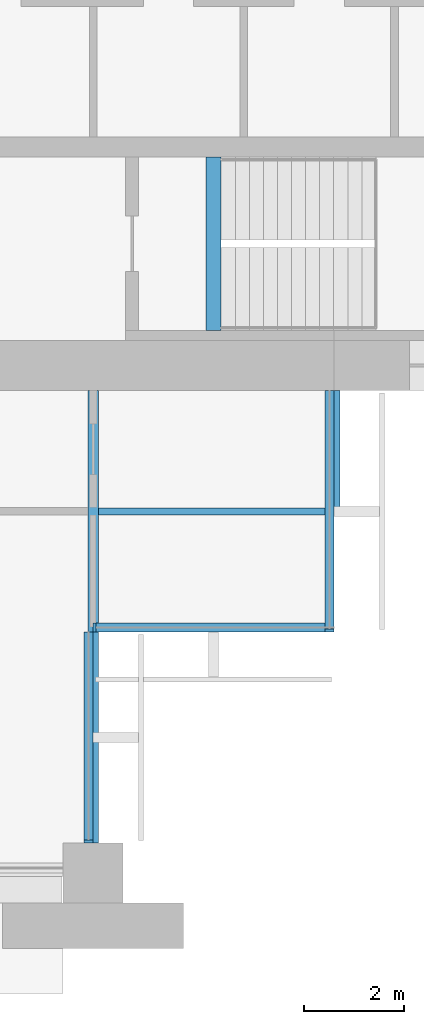
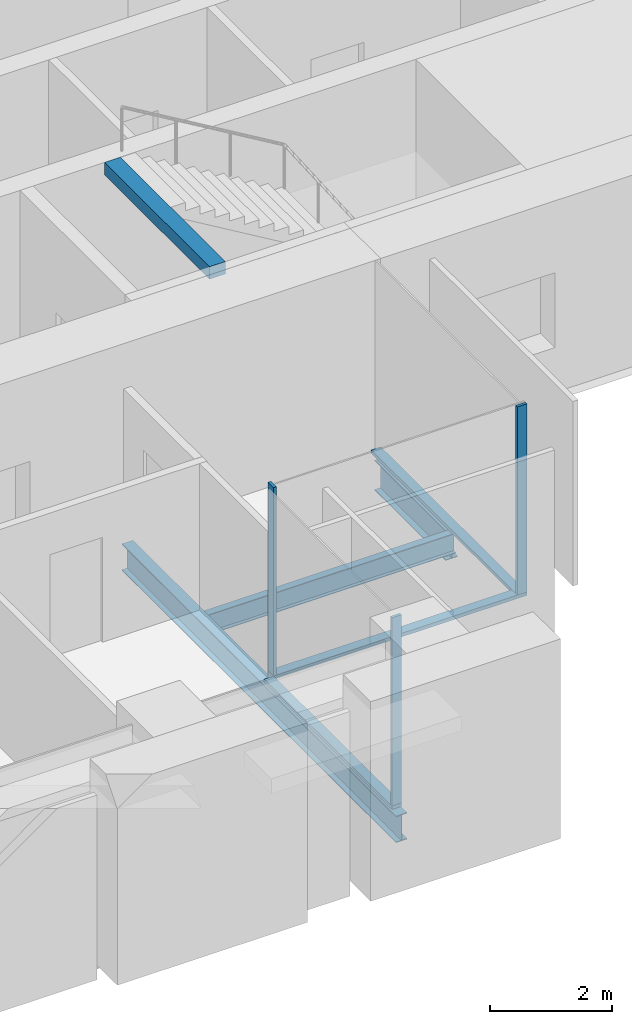
# One storey, part 4 of 15: 6 members, 4 beams, 3 elements without a shape of their own.
"""IFC4 building model written with IfcOpenShell, lengths in metres."""

from ifc_helpers import new_model, si_unit, direction, frame, origin, origin_2d, place, context, subcontext, project, spatial, rectangle, i_section, extrude, material, material_profile, profile_set, type_object, element, aggregate, save


model = new_model("IFC4")

# Units and contexts
model_context = context("Model", 3, precision=1e-05, world=origin(), true_north=direction((0.0, 1.0)))
body_context = subcontext(model_context, "Body", "Model", "MODEL_VIEW")
ifc_project = project(units=[si_unit("LENGTHUNIT", "METRE"), si_unit("AREAUNIT", "SQUARE_METRE"), si_unit("VOLUMEUNIT", "CUBIC_METRE"), si_unit("PLANEANGLEUNIT", "RADIAN"), si_unit("MASSUNIT", "GRAM", prefix="KILO")], contexts=[model_context])

# Site, building, storey
site_placement = place(None, origin())
site = spatial("IfcSite", under=ifc_project, at=site_placement, CompositionType="ELEMENT")
building_placement = place(site_placement, origin())
building = spatial("IfcBuilding", under=site, at=building_placement, Name="Baori Bourse Tower", CompositionType="ELEMENT")
storey_placement = place(building_placement, frame((0.0, 0.0, 128.10009765625)))
storey = spatial("IfcBuildingStorey", under=building, at=storey_placement, Name="L27", CompositionType="ELEMENT", Elevation=128.10009765625)

# Curtain wall, member
ifc_material_1 = material(Name="Pale anodised aluminium", Category="aluminium")
curtain_wall_type = type_object("IfcCurtainWallType", Name="CW2 Curtain wall", PredefinedType="NOTDEFINED", material=ifc_material_1)
curtain_wall_1_placement = place(storey_placement, origin())
curtain_wall_1 = element("IfcCurtainWall", 1, at=curtain_wall_1_placement, inside=storey, type_object=curtain_wall_type, Name="Curtain wall CW2 L27 16", PredefinedType="NOTDEFINED")
ifc_material_2 = material(Name="Pale anodised aluminium", Category="aluminium")
ifc_material_profile_1 = material_profile(ifc_material_2, rectangle(XDim=0.179931640625, YDim=0.054931640625, at=origin_2d()), Name="Mullion 55x180")
ifc_profile_set_1 = profile_set([ifc_material_profile_1], Name="Pale anodised aluminium")
member_type_1 = type_object("IfcMemberType", Name="CW2 Curtain wall mullion", PredefinedType="MULLION", material=ifc_profile_set_1)
member_1_placement = place(storey_placement, frame((43.110107421875, 0.62744140625, 0.06982421875), z_axis=(0.0, 0.0, 1.0), x_axis=(-1.0, 0.0, 0.0)))
member_1 = element("IfcMember", 2, at=member_1_placement, type_object=member_type_1, Name="Curtain wall CW2 mullion", PredefinedType="MULLION", context=body_context, shape_type="SweptSolid", body=[
    extrude(rectangle(XDim=0.179931640625, YDim=0.054931640625, at=origin_2d()), origin(), (0.0, 0.0, 1.0), 3.77001953125),
])

curtain_wall_2_placement = place(storey_placement, origin())
curtain_wall_2 = element("IfcCurtainWall", 3, at=curtain_wall_2_placement, inside=storey, type_object=curtain_wall_type, Name="Curtain wall CW2 L27 17", PredefinedType="NOTDEFINED")
member_2_placement = place(storey_placement, frame((43.2275390625, 4.889892578125, 0.06982421875), z_axis=(0.0, 0.0, 1.0), x_axis=(0.0, 1.0, 0.0)))
member_2 = element("IfcMember", 4, at=member_2_placement, type_object=member_type_1, Name="Curtain wall CW2 mullion", PredefinedType="MULLION", context=body_context, shape_type="SweptSolid", body=[
    extrude(rectangle(XDim=0.179931640625, YDim=0.054931640625, at=origin_2d()), origin(), (0.0, 0.0, 1.0), 3.77001953125),
])

curtain_wall_3_placement = place(storey_placement, origin())
curtain_wall_3 = element("IfcCurtainWall", 5, at=curtain_wall_3_placement, inside=storey, type_object=curtain_wall_type, Name="Curtain wall CW2 L27 18", PredefinedType="NOTDEFINED")
member_3_placement = place(storey_placement, frame((47.909912109375, 4.827392578125, 0.06982421875), z_axis=(0.0, 0.0, 1.0), x_axis=(-1.0, 0.0, 0.0)))
member_3 = element("IfcMember", 6, at=member_3_placement, type_object=member_type_1, Name="Curtain wall CW2 mullion", PredefinedType="MULLION", context=body_context, shape_type="SweptSolid", body=[
    extrude(rectangle(XDim=0.179931640625, YDim=0.054931640625, at=origin_2d()), origin(), (0.0, 0.0, 1.0), 3.77001953125),
])

# Member
ifc_material_3 = material(Name="Pale anodised aluminium", Category="aluminium")
ifc_material_profile_2 = material_profile(ifc_material_3, rectangle(XDim=0.179931640625, YDim=0.070068359375, at=origin_2d()), Name="Transom 70x180")
ifc_profile_set_2 = profile_set([ifc_material_profile_2], Name="Pale anodised aluminium")
member_type_2 = type_object("IfcMemberType", Name="CW2 Curtain wall transom", PredefinedType="USERDEFINED", material=ifc_profile_set_2)
member_4_placement = place(storey_placement, frame((43.110107421875, 0.60009765625, 0.034912109375), z_axis=(0.0, 1.0, 0.0), x_axis=(-1.0, 0.0, 0.0)))
member_4 = element("IfcMember", 7, at=member_4_placement, type_object=member_type_2, Name="Curtain wall CW2 sill rail", ObjectType="TRANSOM", PredefinedType="USERDEFINED", context=body_context, shape_type="SweptSolid", body=[
    extrude(rectangle(XDim=0.179931640625, YDim=0.070068359375, at=origin_2d()), origin(), (0.0, 0.0, 1.0), 4.199951171875),
])

aggregate(curtain_wall_1, [member_4, member_1])

member_5_placement = place(storey_placement, frame((43.199951171875, 4.889892578125, 0.034912109375), z_axis=(1.0, 0.0, 0.0), x_axis=(0.0, 1.0, 0.0)))
member_5 = element("IfcMember", 8, at=member_5_placement, type_object=member_type_2, Name="Curtain wall CW2 sill rail", ObjectType="TRANSOM", PredefinedType="USERDEFINED", context=body_context, shape_type="SweptSolid", body=[
    extrude(rectangle(XDim=0.179931640625, YDim=0.070068359375, at=origin_2d()), origin(), (0.0, 0.0, 1.0), 4.800048828125),
])

aggregate(curtain_wall_2, [member_5, member_2])

member_6_placement = place(storey_placement, frame((47.909912109375, 4.800048828125, 0.034912109375), z_axis=(0.0, 1.0, 0.0), x_axis=(-1.0, 0.0, 0.0)))
member_6 = element("IfcMember", 9, at=member_6_placement, type_object=member_type_2, Name="Curtain wall CW2 sill rail", ObjectType="TRANSOM", PredefinedType="USERDEFINED", context=body_context, shape_type="SweptSolid", body=[
    extrude(rectangle(XDim=0.179931640625, YDim=0.070068359375, at=origin_2d()), origin(), (0.0, 0.0, 1.0), 4.800048828125),
])

aggregate(curtain_wall_3, [member_6, member_3])

# Beams
ifc_material_4 = material(Name="Steel A992 Gr 50", Category="steel")
ifc_material_profile_3 = material_profile(ifc_material_4, i_section(OverallWidth=0.227783203125, OverallDepth=0.60205078125, WebThickness=0.010498046875, FlangeThickness=0.014892578125, at=origin_2d()), Name="W24x68")
ifc_profile_set_3 = profile_set([ifc_material_profile_3], Name="Steel A992 Gr 50")
beam_type_1 = type_object("IfcBeamType", Name="Core bracket W24x68", PredefinedType="BEAM", material=ifc_profile_set_3)
beam_1_placement = place(storey_placement, frame((48.0, 7.270263671875, -0.461181640625), z_axis=(0.0, 1.0, 0.0), x_axis=(-1.0, 0.0, 0.0)))
element("IfcBeam", 10, at=beam_1_placement, inside=storey, type_object=beam_type_1, Name="Core bracket L27", PredefinedType="BEAM", context=body_context, shape_type="SweptSolid", body=[
    extrude(i_section(OverallWidth=0.227783203125, OverallDepth=0.60205078125, WebThickness=0.010498046875, FlangeThickness=0.014892578125, at=origin_2d()), origin(), (0.0, 0.0, 1.0), 2.329833984375),
])
ifc_material_5 = material(Name="Steel A992 Gr 50", Category="steel")
ifc_material_profile_4 = material_profile(ifc_material_5, i_section(OverallWidth=0.209228515625, OverallDepth=0.533447265625, WebThickness=0.01025390625, FlangeThickness=0.015625, at=origin_2d()), Name="W21x62")
ifc_profile_set_4 = profile_set([ifc_material_profile_4], Name="Steel A992 Gr 50")
beam_type_2 = type_object("IfcBeamType", Name="Floor beam W21x62", PredefinedType="BEAM", material=ifc_profile_set_4)
beam_2_placement = place(storey_placement, frame((43.199951171875, 0.60009765625, -0.4267578125), z_axis=(0.0, 1.0, 0.0), x_axis=(-1.0, 0.0, 0.0)))
element("IfcBeam", 11, at=beam_2_placement, inside=storey, type_object=beam_type_2, Name="Floor beam L27", PredefinedType="BEAM", context=body_context, shape_type="SweptSolid", body=[
    extrude(i_section(OverallWidth=0.209228515625, OverallDepth=0.533447265625, WebThickness=0.01025390625, FlangeThickness=0.015625, at=origin_2d()), origin(), (0.0, 0.0, 1.0), 9.0),
])
ifc_material_6 = material(Name="Concrete f'c 50 MPa", Category="concrete")
ifc_material_profile_5 = material_profile(ifc_material_6, rectangle(XDim=0.300048828125, YDim=0.25, at=origin_2d()), Name="RC 300x250")
ifc_profile_set_5 = profile_set([ifc_material_profile_5], Name="Concrete f'c 50 MPa")
beam_type_3 = type_object("IfcBeamType", Name="Stair nib beam RC 300x250", PredefinedType="BEAM", material=ifc_profile_set_5)
beam_3_placement = place(storey_placement, frame((45.60009765625, 10.800048828125, 3.71484375), z_axis=(0.0, 1.0, 0.0), x_axis=(-1.0, 0.0, 0.0)))
element("IfcBeam", 12, at=beam_3_placement, inside=storey, type_object=beam_type_3, Name="Stair EA nib beam L28", PredefinedType="BEAM", context=body_context, shape_type="SweptSolid", body=[
    extrude(rectangle(XDim=0.300048828125, YDim=0.25, at=origin_2d()), origin(), (0.0, 0.0, 1.0), 3.449951171875),
])
ifc_material_7 = material(Name="Steel A992 Gr 50", Category="steel")
ifc_material_profile_6 = material_profile(ifc_material_7, i_section(OverallWidth=0.140380859375, OverallDepth=0.40380859375, WebThickness=0.007080078125, FlangeThickness=0.01123046875, at=origin_2d()), Name="W16x31")
ifc_profile_set_6 = profile_set([ifc_material_profile_6], Name="Steel A992 Gr 50")
beam_type_4 = type_object("IfcBeamType", Name="Trimmer beam W16x31", PredefinedType="BEAM", material=ifc_profile_set_6)
beam_4_placement = place(storey_placement, frame((43.3046875, 7.199951171875, -0.362060546875), z_axis=(1.0, 0.0, 0.0), x_axis=(0.0, 1.0, 0.0)))
element("IfcBeam", 13, at=beam_4_placement, inside=storey, type_object=beam_type_4, Name="Trimmer beam L27", PredefinedType="BEAM", context=body_context, shape_type="SweptSolid", body=[
    extrude(i_section(OverallWidth=0.140380859375, OverallDepth=0.40380859375, WebThickness=0.007080078125, FlangeThickness=0.01123046875, at=origin_2d()), origin(), (0.0, 0.0, 1.0), 4.6953125),
])

save(model, "model.ifc")
